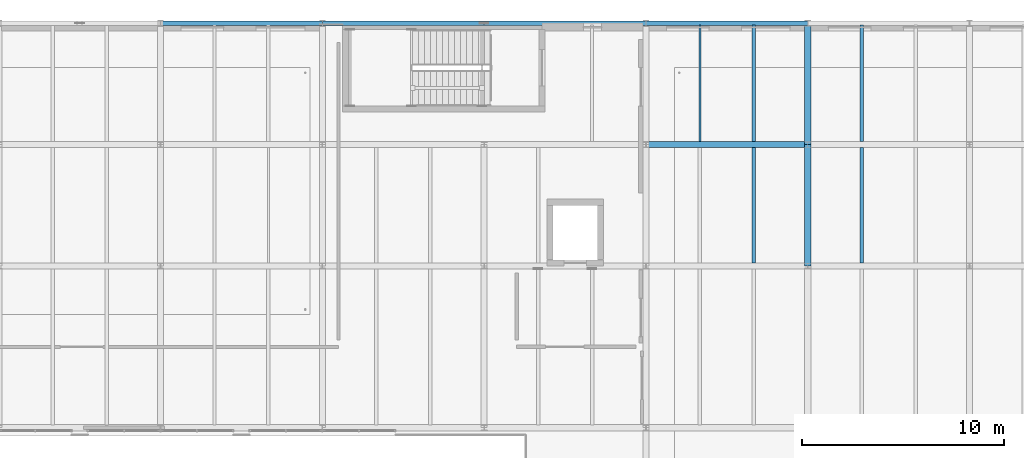
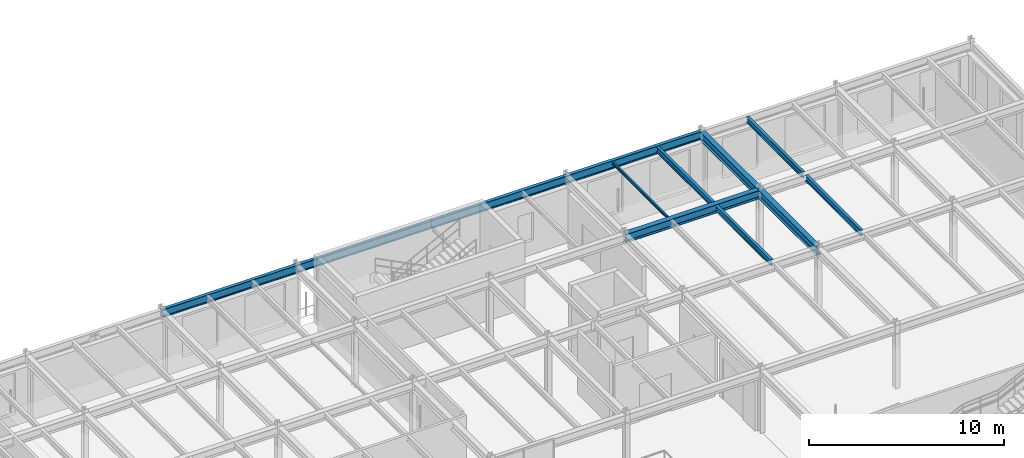
# One storey, part 50 of 122: 12 beams.
"""IFC4 building model written with IfcOpenShell, lengths in metres."""

from ifc_helpers import new_model, si_unit, direction, frame, origin, origin_2d, place, context, subcontext, project, spatial, i_section, extrude, material, material_profile, profile_set, type_object, element, save


model = new_model("IFC4")

# Units and contexts
model_context = context("Model", 3, precision=1e-05, world=origin(), true_north=direction((0.0, 1.0)))
body_context = subcontext(model_context, "Body", "Model", "MODEL_VIEW")
ifc_project = project(units=[si_unit("LENGTHUNIT", "METRE"), si_unit("AREAUNIT", "SQUARE_METRE"), si_unit("VOLUMEUNIT", "CUBIC_METRE"), si_unit("PLANEANGLEUNIT", "RADIAN"), si_unit("MASSUNIT", "GRAM", prefix="KILO")], contexts=[model_context])

# Site, building, storey
site_placement = place(None, origin())
site = spatial("IfcSite", under=ifc_project, at=site_placement, CompositionType="ELEMENT")
building_placement = place(site_placement, origin())
building = spatial("IfcBuilding", under=site, at=building_placement, Name="Sundkrona Museum", CompositionType="ELEMENT")
storey_placement = place(building_placement, frame((0.0, 0.0, 5.39990234375)))
storey = spatial("IfcBuildingStorey", under=building, at=storey_placement, Name="L01", CompositionType="ELEMENT", Elevation=5.39990234375)

# Beams
ifc_material = material(Name="Steel S355J2", Category="steel")
ifc_material_profile_1 = material_profile(ifc_material, i_section(OverallWidth=0.300048828125, OverallDepth=0.5400390625, WebThickness=0.012451171875, FlangeThickness=0.02392578125, FilletRadius=0.027099609375, at=origin_2d()), Name="HEA 550")
ifc_profile_set_1 = profile_set([ifc_material_profile_1], Name="Steel S355J2")
beam_type_1 = type_object("IfcBeamType", Name="B-HEA550", PredefinedType="BEAM", material=ifc_profile_set_1)
beam_1_placement = place(storey_placement, frame((56.0, 108.0, 3.690185546875), z_axis=(1.0, 0.0, 0.0), x_axis=(0.0, 1.0, 0.0)))
element("IfcBeam", 1, at=beam_1_placement, inside=storey, type_object=beam_type_1, Name="L01 Girder X-0939", PredefinedType="BEAM", context=body_context, shape_type="SweptSolid", body=[
    extrude(i_section(OverallWidth=0.300048828125, OverallDepth=0.5400390625, WebThickness=0.012451171875, FlangeThickness=0.02392578125, FilletRadius=0.027099609375, at=origin_2d()), origin(), (0.0, 0.0, 1.0), 8.0),
])
for number, where, z_axis, x_axis, name in (
    (2, (64.0, 102.0, 3.690185546875), (0.0, 1.0, 0.0), (-1.0, 0.0, 0.0), "L01 Girder Y-1002"),
    (3, (64.0, 108.0, 3.690185546875), (0.0, 1.0, 0.0), (-1.0, 0.0, 0.0), "L01 Girder Y-1003"),
):
    element("IfcBeam", number, at=place(storey_placement, frame(where, z_axis=z_axis, x_axis=x_axis)), inside=storey, type_object=beam_type_1, Name=name, PredefinedType="BEAM", context=body_context, shape_type="SweptSolid", body=[
        extrude(i_section(OverallWidth=0.300048828125, OverallDepth=0.5400390625, WebThickness=0.012451171875, FlangeThickness=0.02392578125, FilletRadius=0.027099609375, at=origin_2d()), origin(), (0.0, 0.0, 1.0), 6.0),
    ])
ifc_material_profile_2 = material_profile(ifc_material, i_section(OverallWidth=0.091064453125, OverallDepth=0.179931640625, WebThickness=0.00537109375, FlangeThickness=0.008056640625, FilletRadius=0.009033203125, at=origin_2d()), Name="IPE 180")
ifc_profile_set_2 = profile_set([ifc_material_profile_2], Name="Steel S355J2")
beam_type_2 = type_object("IfcBeamType", Name="J-IPE180", PredefinedType="JOIST", material=ifc_profile_set_2)
beam_2_placement = place(storey_placement, frame((58.666748046875, 108.14404296875, 3.8701171875), z_axis=(0.0, 1.0, 0.0), x_axis=(-1.0, 0.0, 0.0)))
element("IfcBeam", 4, at=beam_2_placement, inside=storey, type_object=beam_type_2, Name="L01 Composite Joist 0615", PredefinedType="JOIST", context=body_context, shape_type="SweptSolid", body=[
    extrude(i_section(OverallWidth=0.091064453125, OverallDepth=0.179931640625, WebThickness=0.00537109375, FlangeThickness=0.008056640625, FilletRadius=0.009033203125, at=origin_2d()), origin(), (0.0, 0.0, 1.0), 5.761962890625),
])
ifc_material_profile_3 = material_profile(ifc_material, i_section(OverallWidth=0.169921875, OverallDepth=0.360107421875, WebThickness=0.008056640625, FlangeThickness=0.0126953125, FilletRadius=0.01806640625, at=origin_2d()), Name="IPE 360")
ifc_profile_set_3 = profile_set([ifc_material_profile_3], Name="Steel S355J2")
beam_type_3 = type_object("IfcBeamType", Name="J-IPE360", PredefinedType="JOIST", material=ifc_profile_set_3)
beam_3_placement = place(storey_placement, frame((61.333251953125, 102.14404296875, 3.780029296875), z_axis=(0.0, 1.0, 0.0), x_axis=(-1.0, 0.0, 0.0)))
element("IfcBeam", 5, at=beam_3_placement, inside=storey, type_object=beam_type_3, Name="L01 Composite Joist 0614", PredefinedType="JOIST", context=body_context, shape_type="SweptSolid", body=[
    extrude(i_section(OverallWidth=0.169921875, OverallDepth=0.360107421875, WebThickness=0.008056640625, FlangeThickness=0.0126953125, FilletRadius=0.01806640625, at=origin_2d()), origin(), (0.0, 0.0, 1.0), 5.7119140625),
])
beam_4_placement = place(storey_placement, frame((61.333251953125, 108.14404296875, 3.780029296875), z_axis=(0.0, 1.0, 0.0), x_axis=(-1.0, 0.0, 0.0)))
element("IfcBeam", 6, at=beam_4_placement, inside=storey, type_object=beam_type_3, Name="L01 Composite Joist 0616", PredefinedType="JOIST", context=body_context, shape_type="SweptSolid", body=[
    extrude(i_section(OverallWidth=0.169921875, OverallDepth=0.360107421875, WebThickness=0.008056640625, FlangeThickness=0.0126953125, FilletRadius=0.01806640625, at=origin_2d()), origin(), (0.0, 0.0, 1.0), 5.761962890625),
])
beam_5_placement = place(storey_placement, frame((66.666748046875, 102.14404296875, 3.780029296875), z_axis=(0.0, 1.0, 0.0), x_axis=(-1.0, 0.0, 0.0)))
element("IfcBeam", 7, at=beam_5_placement, inside=storey, type_object=beam_type_3, Name="L01 Composite Joist 0619", PredefinedType="JOIST", context=body_context, shape_type="SweptSolid", body=[
    extrude(i_section(OverallWidth=0.169921875, OverallDepth=0.360107421875, WebThickness=0.008056640625, FlangeThickness=0.0126953125, FilletRadius=0.01806640625, at=origin_2d()), origin(), (0.0, 0.0, 1.0), 5.7119140625),
])
beam_6_placement = place(storey_placement, frame((66.666748046875, 108.14404296875, 3.780029296875), z_axis=(0.0, 1.0, 0.0), x_axis=(-1.0, 0.0, 0.0)))
element("IfcBeam", 8, at=beam_6_placement, inside=storey, type_object=beam_type_3, Name="L01 Composite Joist 0621", PredefinedType="JOIST", context=body_context, shape_type="SweptSolid", body=[
    extrude(i_section(OverallWidth=0.169921875, OverallDepth=0.360107421875, WebThickness=0.008056640625, FlangeThickness=0.0126953125, FilletRadius=0.01806640625, at=origin_2d()), origin(), (0.0, 0.0, 1.0), 5.761962890625),
])
ifc_material_profile_4 = material_profile(ifc_material, i_section(OverallWidth=0.199951171875, OverallDepth=0.5, WebThickness=0.01025390625, FlangeThickness=0.01611328125, FilletRadius=0.02099609375, at=origin_2d()), Name="IPE 500")
ifc_profile_set_4 = profile_set([ifc_material_profile_4], Name="Steel S355J2")
beam_type_4 = type_object("IfcBeamType", Name="SP-IPE500", PredefinedType="SPANDREL", material=ifc_profile_set_4)
for number, where, z_axis, x_axis, name in (
    (9, (32.0, 114.0, 3.710205078125), (1.0, 0.0, 0.0), (0.0, 1.0, 0.0), "L01 Girder X-0949"),
    (10, (40.0, 114.0, 3.710205078125), (1.0, 0.0, 0.0), (0.0, 1.0, 0.0), "L01 Girder X-0950"),
    (11, (48.0, 114.0, 3.710205078125), (1.0, 0.0, 0.0), (0.0, 1.0, 0.0), "L01 Girder X-0951"),
    (12, (56.0, 114.0, 3.710205078125), (1.0, 0.0, 0.0), (0.0, 1.0, 0.0), "L01 Girder X-0952"),
):
    element("IfcBeam", number, at=place(storey_placement, frame(where, z_axis=z_axis, x_axis=x_axis)), inside=storey, type_object=beam_type_4, Name=name, PredefinedType="SPANDREL", context=body_context, shape_type="SweptSolid", body=[
        extrude(i_section(OverallWidth=0.199951171875, OverallDepth=0.5, WebThickness=0.01025390625, FlangeThickness=0.01611328125, FilletRadius=0.02099609375, at=origin_2d()), origin(), (0.0, 0.0, 1.0), 8.0),
    ])

save(model, "model.ifc")
